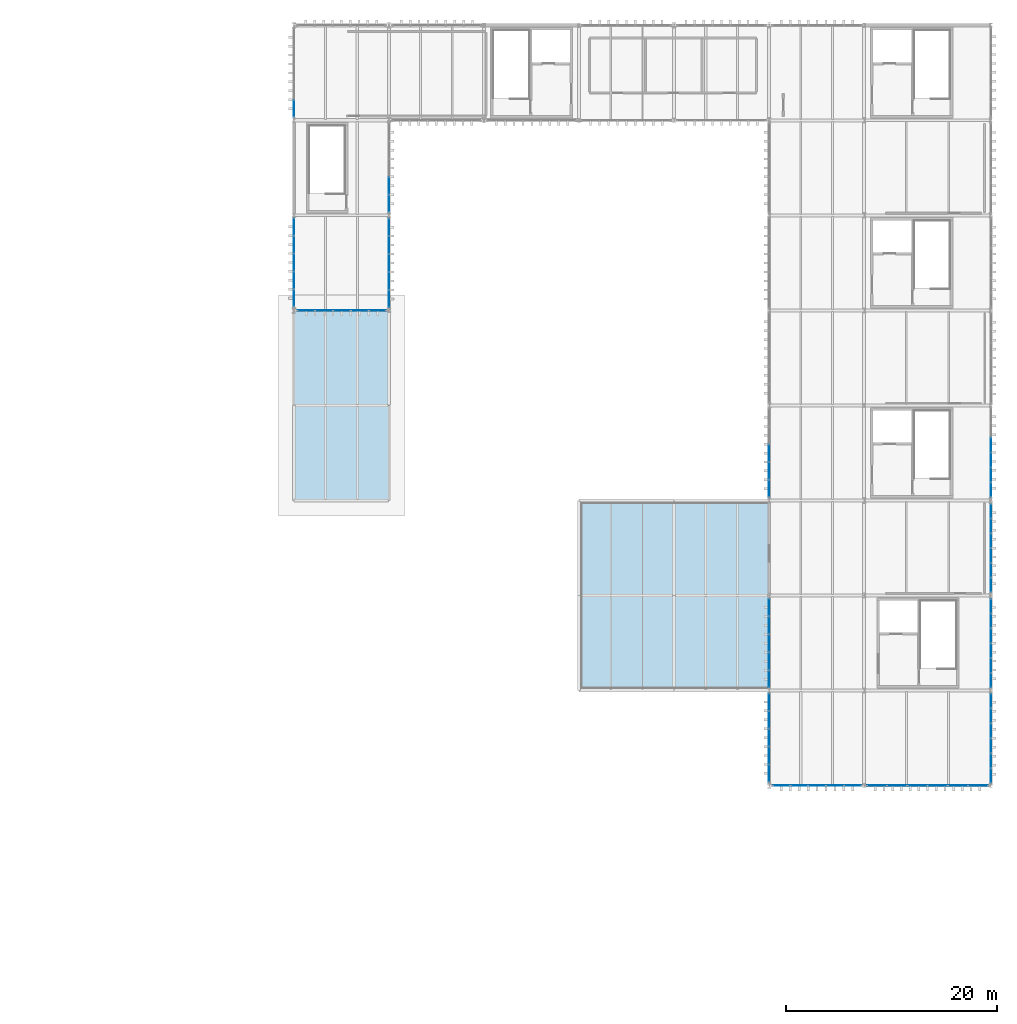
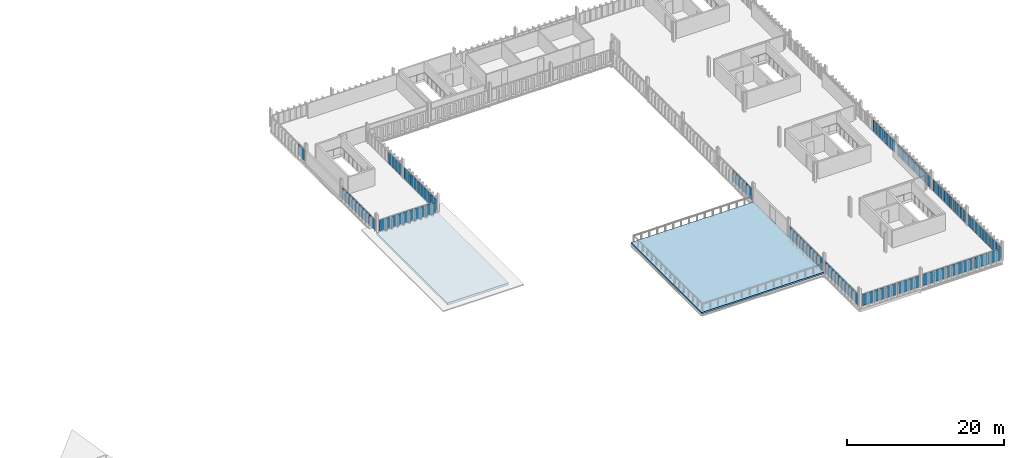
# One storey, part 49 of 58: 64 plates, 2 slabs, 14 elements without a shape of their own.
"""IFC4 building model written with IfcOpenShell, lengths in metres."""

from ifc_helpers import new_model, si_unit, direction, frame, origin, origin_2d, place, context, subcontext, project, spatial, polyline, rectangle, outline, extrude, material, layer, layer_set, type_object, element, aggregate, save


model = new_model("IFC4")

# Units and contexts
model_context = context("Model", 3, precision=1e-05, world=origin(), true_north=direction((0.0, 1.0)))
body_context = subcontext(model_context, "Body", "Model", "MODEL_VIEW")
ifc_project = project(units=[si_unit("LENGTHUNIT", "METRE"), si_unit("AREAUNIT", "SQUARE_METRE"), si_unit("VOLUMEUNIT", "CUBIC_METRE"), si_unit("PLANEANGLEUNIT", "RADIAN"), si_unit("MASSUNIT", "GRAM", prefix="KILO")], contexts=[model_context])

# Site, building, storey
site_placement = place(None, origin())
site = spatial("IfcSite", under=ifc_project, at=site_placement, CompositionType="ELEMENT")
building_placement = place(site_placement, origin())
building = spatial("IfcBuilding", under=site, at=building_placement, Name="Barlavento Convention Centre", CompositionType="ELEMENT")
storey_placement = place(building_placement, frame((0.0, 0.0, 26.800048828125)))
storey = spatial("IfcBuildingStorey", under=building, at=storey_placement, Name="L05", CompositionType="ELEMENT", Elevation=26.800048828125)

# Curtain wall, plates
ifc_material_1 = material(Name="Powder-coated aluminium and Low-E glass", Category="aluminium")
ifc_layer_1 = layer(ifc_material_1, 0.18994140625)
ifc_layer_set_1 = layer_set([ifc_layer_1], Name="ARC-CW-CONF-L05")
curtain_wall_type = type_object("IfcCurtainWallType", Name="ARC-CW-CONF-L05", PredefinedType="NOTDEFINED", material=ifc_layer_set_1)
curtain_wall_1_placement = place(storey_placement, origin())
curtain_wall_1 = element("IfcCurtainWall", 1, at=curtain_wall_1_placement, inside=storey, type_object=curtain_wall_type, Name="L05 unitised curtain wall CW10", PredefinedType="NOTDEFINED")
ifc_material_2 = material(Name="Double-silver Low-E insulated glass", Category="glass")
ifc_layer_2 = layer(ifc_material_2, 0.028076171875)
ifc_layer_set_2 = layer_set([ifc_layer_2], Name="ARC-CWP-GLZ28")
plate_type = type_object("IfcPlateType", Name="ARC-CWP-GLZ28", PredefinedType="CURTAIN_PANEL", material=ifc_layer_set_2)
plate_1_placement = place(storey_placement, frame((192.0, 27.9541015625, 0.06005859375), z_axis=(0.0, 0.0, 1.0), x_axis=(0.0, 1.0, 0.0)))
plate_1 = element("IfcPlate", 2, at=plate_1_placement, type_object=plate_type, Name="CW10 panel 1.1", PredefinedType="CURTAIN_PANEL", context=body_context, shape_type="SweptSolid", body=[
    extrude(rectangle(XDim=1.328369140625, YDim=0.028076171875, at=origin_2d()), origin(), (0.0, 0.0, 1.0), 1.780029296875),
])
plate_2_placement = place(storey_placement, frame((192.0, 29.357421875, 0.06005859375), z_axis=(0.0, 0.0, 1.0), x_axis=(0.0, 1.0, 0.0)))
plate_2 = element("IfcPlate", 3, at=plate_2_placement, type_object=plate_type, Name="CW10 panel 2.1", PredefinedType="CURTAIN_PANEL", context=body_context, shape_type="SweptSolid", body=[
    extrude(rectangle(XDim=1.3583984375, YDim=0.028076171875, at=origin_2d()), origin(), (0.0, 0.0, 1.0), 1.780029296875),
])
plate_3_placement = place(storey_placement, frame((192.0, 30.77587890625, 0.06005859375), z_axis=(0.0, 0.0, 1.0), x_axis=(0.0, 1.0, 0.0)))
plate_3 = element("IfcPlate", 4, at=plate_3_placement, type_object=plate_type, Name="CW10 panel 3.1", PredefinedType="CURTAIN_PANEL", context=body_context, shape_type="SweptSolid", body=[
    extrude(rectangle(XDim=1.3583984375, YDim=0.028076171875, at=origin_2d()), origin(), (0.0, 0.0, 1.0), 1.780029296875),
])
plate_4_placement = place(storey_placement, frame((192.0, 32.194091796875, 0.06005859375), z_axis=(0.0, 0.0, 1.0), x_axis=(0.0, 1.0, 0.0)))
plate_4 = element("IfcPlate", 5, at=plate_4_placement, type_object=plate_type, Name="CW10 panel 4.1", PredefinedType="CURTAIN_PANEL", context=body_context, shape_type="SweptSolid", body=[
    extrude(rectangle(XDim=1.3583984375, YDim=0.028076171875, at=origin_2d()), origin(), (0.0, 0.0, 1.0), 1.780029296875),
])
plate_5_placement = place(storey_placement, frame((192.0, 33.612548828125, 0.06005859375), z_axis=(0.0, 0.0, 1.0), x_axis=(0.0, 1.0, 0.0)))
plate_5 = element("IfcPlate", 6, at=plate_5_placement, type_object=plate_type, Name="CW10 panel 5.1", PredefinedType="CURTAIN_PANEL", context=body_context, shape_type="SweptSolid", body=[
    extrude(rectangle(XDim=1.3583984375, YDim=0.028076171875, at=origin_2d()), origin(), (0.0, 0.0, 1.0), 1.780029296875),
])
plate_6_placement = place(storey_placement, frame((192.0, 35.015869140625, 0.06005859375), z_axis=(0.0, 0.0, 1.0), x_axis=(0.0, 1.0, 0.0)))
plate_6 = element("IfcPlate", 7, at=plate_6_placement, type_object=plate_type, Name="CW10 panel 6.1", PredefinedType="CURTAIN_PANEL", context=body_context, shape_type="SweptSolid", body=[
    extrude(rectangle(XDim=1.328369140625, YDim=0.028076171875, at=origin_2d()), origin(), (0.0, 0.0, 1.0), 1.780029296875),
])
aggregate(curtain_wall_1, [plate_1, plate_2, plate_3, plate_4, plate_5, plate_6])

curtain_wall_2_placement = place(storey_placement, origin())
curtain_wall_2 = element("IfcCurtainWall", 8, at=curtain_wall_2_placement, inside=storey, type_object=curtain_wall_type, Name="L05 unitised curtain wall CW10", PredefinedType="NOTDEFINED")
plate_7_placement = place(storey_placement, frame((192.0, 36.9794921875, 0.06005859375), z_axis=(0.0, 0.0, 1.0), x_axis=(0.0, 1.0, 0.0)))
plate_7 = element("IfcPlate", 9, at=plate_7_placement, type_object=plate_type, Name="CW10 panel 1.1", PredefinedType="CURTAIN_PANEL", context=body_context, shape_type="SweptSolid", body=[
    extrude(rectangle(XDim=1.319091796875, YDim=0.028076171875, at=origin_2d()), origin(), (0.0, 0.0, 1.0), 1.780029296875),
])
plate_8_placement = place(storey_placement, frame((192.0, 38.373779296875, 0.06005859375), z_axis=(0.0, 0.0, 1.0), x_axis=(0.0, 1.0, 0.0)))
plate_8 = element("IfcPlate", 10, at=plate_8_placement, type_object=plate_type, Name="CW10 panel 2.1", PredefinedType="CURTAIN_PANEL", context=body_context, shape_type="SweptSolid", body=[
    extrude(rectangle(XDim=1.34912109375, YDim=0.028076171875, at=origin_2d()), origin(), (0.0, 0.0, 1.0), 1.780029296875),
])
plate_9_placement = place(storey_placement, frame((192.0, 39.782958984375, 0.06005859375), z_axis=(0.0, 0.0, 1.0), x_axis=(0.0, 1.0, 0.0)))
plate_9 = element("IfcPlate", 11, at=plate_9_placement, type_object=plate_type, Name="CW10 panel 3.1", PredefinedType="CURTAIN_PANEL", context=body_context, shape_type="SweptSolid", body=[
    extrude(rectangle(XDim=1.34912109375, YDim=0.028076171875, at=origin_2d()), origin(), (0.0, 0.0, 1.0), 1.780029296875),
])
plate_10_placement = place(storey_placement, frame((192.0, 41.192138671875, 0.06005859375), z_axis=(0.0, 0.0, 1.0), x_axis=(0.0, 1.0, 0.0)))
plate_10 = element("IfcPlate", 12, at=plate_10_placement, type_object=plate_type, Name="CW10 panel 4.1", PredefinedType="CURTAIN_PANEL", context=body_context, shape_type="SweptSolid", body=[
    extrude(rectangle(XDim=1.34912109375, YDim=0.028076171875, at=origin_2d()), origin(), (0.0, 0.0, 1.0), 1.780029296875),
])
plate_11_placement = place(storey_placement, frame((192.0, 42.601318359375, 0.06005859375), z_axis=(0.0, 0.0, 1.0), x_axis=(0.0, 1.0, 0.0)))
plate_11 = element("IfcPlate", 13, at=plate_11_placement, type_object=plate_type, Name="CW10 panel 5.1", PredefinedType="CURTAIN_PANEL", context=body_context, shape_type="SweptSolid", body=[
    extrude(rectangle(XDim=1.34912109375, YDim=0.028076171875, at=origin_2d()), origin(), (0.0, 0.0, 1.0), 1.780029296875),
])
plate_12_placement = place(storey_placement, frame((192.0, 43.995361328125, 0.06005859375), z_axis=(0.0, 0.0, 1.0), x_axis=(0.0, 1.0, 0.0)))
plate_12 = element("IfcPlate", 14, at=plate_12_placement, type_object=plate_type, Name="CW10 panel 6.1", PredefinedType="CURTAIN_PANEL", context=body_context, shape_type="SweptSolid", body=[
    extrude(rectangle(XDim=1.319091796875, YDim=0.028076171875, at=origin_2d()), origin(), (0.0, 0.0, 1.0), 1.780029296875),
])
aggregate(curtain_wall_2, [plate_7, plate_8, plate_9, plate_10, plate_11, plate_12])

curtain_wall_3_placement = place(storey_placement, origin())
curtain_wall_3 = element("IfcCurtainWall", 15, at=curtain_wall_3_placement, inside=storey, type_object=curtain_wall_type, Name="L05 unitised curtain wall CW10", PredefinedType="NOTDEFINED")
plate_13_placement = place(storey_placement, frame((192.0, 46.00048828125, 0.06005859375), z_axis=(0.0, 0.0, 1.0), x_axis=(0.0, 1.0, 0.0)))
plate_13 = element("IfcPlate", 16, at=plate_13_placement, type_object=plate_type, Name="CW10 panel 1.1", PredefinedType="CURTAIN_PANEL", context=body_context, shape_type="SweptSolid", body=[
    extrude(rectangle(XDim=1.310791015625, YDim=0.028076171875, at=origin_2d()), origin(), (0.0, 0.0, 1.0), 1.780029296875),
])
plate_14_placement = place(storey_placement, frame((192.0, 47.38623046875, 0.06005859375), z_axis=(0.0, 0.0, 1.0), x_axis=(0.0, 1.0, 0.0)))
plate_14 = element("IfcPlate", 17, at=plate_14_placement, type_object=plate_type, Name="CW10 panel 2.1", PredefinedType="CURTAIN_PANEL", context=body_context, shape_type="SweptSolid", body=[
    extrude(rectangle(XDim=1.3408203125, YDim=0.028076171875, at=origin_2d()), origin(), (0.0, 0.0, 1.0), 1.780029296875),
])
plate_15_placement = place(storey_placement, frame((192.0, 48.787109375, 0.06005859375), z_axis=(0.0, 0.0, 1.0), x_axis=(0.0, 1.0, 0.0)))
plate_15 = element("IfcPlate", 18, at=plate_15_placement, type_object=plate_type, Name="CW10 panel 3.1", PredefinedType="CURTAIN_PANEL", context=body_context, shape_type="SweptSolid", body=[
    extrude(rectangle(XDim=1.3408203125, YDim=0.028076171875, at=origin_2d()), origin(), (0.0, 0.0, 1.0), 1.780029296875),
])
plate_16_placement = place(storey_placement, frame((192.0, 50.18798828125, 0.06005859375), z_axis=(0.0, 0.0, 1.0), x_axis=(0.0, 1.0, 0.0)))
plate_16 = element("IfcPlate", 19, at=plate_16_placement, type_object=plate_type, Name="CW10 panel 4.1", PredefinedType="CURTAIN_PANEL", context=body_context, shape_type="SweptSolid", body=[
    extrude(rectangle(XDim=1.3408203125, YDim=0.028076171875, at=origin_2d()), origin(), (0.0, 0.0, 1.0), 1.780029296875),
])
plate_17_placement = place(storey_placement, frame((192.0, 51.5888671875, 0.06005859375), z_axis=(0.0, 0.0, 1.0), x_axis=(0.0, 1.0, 0.0)))
plate_17 = element("IfcPlate", 20, at=plate_17_placement, type_object=plate_type, Name="CW10 panel 5.1", PredefinedType="CURTAIN_PANEL", context=body_context, shape_type="SweptSolid", body=[
    extrude(rectangle(XDim=1.3408203125, YDim=0.028076171875, at=origin_2d()), origin(), (0.0, 0.0, 1.0), 1.780029296875),
])
plate_18_placement = place(storey_placement, frame((192.0, 52.974609375, 0.06005859375), z_axis=(0.0, 0.0, 1.0), x_axis=(0.0, 1.0, 0.0)))
plate_18 = element("IfcPlate", 21, at=plate_18_placement, type_object=plate_type, Name="CW10 panel 6.1", PredefinedType="CURTAIN_PANEL", context=body_context, shape_type="SweptSolid", body=[
    extrude(rectangle(XDim=1.310791015625, YDim=0.028076171875, at=origin_2d()), origin(), (0.0, 0.0, 1.0), 1.780029296875),
])
aggregate(curtain_wall_3, [plate_13, plate_14, plate_15, plate_16, plate_17, plate_18])

curtain_wall_4_placement = place(storey_placement, origin())
curtain_wall_4 = element("IfcCurtainWall", 22, at=curtain_wall_4_placement, inside=storey, type_object=curtain_wall_type, Name="L05 unitised curtain wall CW10", PredefinedType="NOTDEFINED")
plate_19_placement = place(storey_placement, frame((192.0, 55.030029296875, 0.06005859375), z_axis=(0.0, 0.0, 1.0), x_axis=(0.0, 1.0, 0.0)))
plate_19 = element("IfcPlate", 23, at=plate_19_placement, type_object=plate_type, Name="CW10 panel 1.1", PredefinedType="CURTAIN_PANEL", context=body_context, shape_type="SweptSolid", body=[
    extrude(rectangle(XDim=1.320068359375, YDim=0.028076171875, at=origin_2d()), origin(), (0.0, 0.0, 1.0), 1.780029296875),
])
plate_20_placement = place(storey_placement, frame((192.0, 56.425048828125, 0.06005859375), z_axis=(0.0, 0.0, 1.0), x_axis=(0.0, 1.0, 0.0)))
plate_20 = element("IfcPlate", 24, at=plate_20_placement, type_object=plate_type, Name="CW10 panel 2.1", PredefinedType="CURTAIN_PANEL", context=body_context, shape_type="SweptSolid", body=[
    extrude(rectangle(XDim=1.35009765625, YDim=0.028076171875, at=origin_2d()), origin(), (0.0, 0.0, 1.0), 1.780029296875),
])
plate_21_placement = place(storey_placement, frame((192.0, 57.8349609375, 0.06005859375), z_axis=(0.0, 0.0, 1.0), x_axis=(0.0, 1.0, 0.0)))
plate_21 = element("IfcPlate", 25, at=plate_21_placement, type_object=plate_type, Name="CW10 panel 3.1", PredefinedType="CURTAIN_PANEL", context=body_context, shape_type="SweptSolid", body=[
    extrude(rectangle(XDim=1.35009765625, YDim=0.028076171875, at=origin_2d()), origin(), (0.0, 0.0, 1.0), 1.780029296875),
])
plate_22_placement = place(storey_placement, frame((192.0, 59.2451171875, 0.06005859375), z_axis=(0.0, 0.0, 1.0), x_axis=(0.0, 1.0, 0.0)))
plate_22 = element("IfcPlate", 26, at=plate_22_placement, type_object=plate_type, Name="CW10 panel 4.1", PredefinedType="CURTAIN_PANEL", context=body_context, shape_type="SweptSolid", body=[
    extrude(rectangle(XDim=1.35009765625, YDim=0.028076171875, at=origin_2d()), origin(), (0.0, 0.0, 1.0), 1.780029296875),
])
aggregate(curtain_wall_4, [plate_19, plate_20, plate_21, plate_22])

curtain_wall_5_placement = place(storey_placement, origin())
curtain_wall_5 = element("IfcCurtainWall", 27, at=curtain_wall_5_placement, inside=storey, type_object=curtain_wall_type, Name="L05 unitised curtain wall CW10", PredefinedType="NOTDEFINED")
plate_23_placement = place(storey_placement, frame((172.1708984375, 27.0, 0.06005859375), z_axis=(0.0, 0.0, 1.0), x_axis=(1.0, 0.0, 0.0)))
plate_23 = element("IfcPlate", 28, at=plate_23_placement, type_object=plate_type, Name="CW10 panel 1.1", PredefinedType="CURTAIN_PANEL", context=body_context, shape_type="SweptSolid", body=[
    extrude(rectangle(XDim=1.60205078125, YDim=0.028076171875, at=origin_2d()), origin(), (0.0, 0.0, 1.0), 1.780029296875),
])
plate_24_placement = place(storey_placement, frame((173.847900390625, 27.0, 0.06005859375), z_axis=(0.0, 0.0, 1.0), x_axis=(1.0, 0.0, 0.0)))
plate_24 = element("IfcPlate", 29, at=plate_24_placement, type_object=plate_type, Name="CW10 panel 2.1", PredefinedType="CURTAIN_PANEL", context=body_context, shape_type="SweptSolid", body=[
    extrude(rectangle(XDim=1.632080078125, YDim=0.028076171875, at=origin_2d()), origin(), (0.0, 0.0, 1.0), 1.780029296875),
])
plate_25_placement = place(storey_placement, frame((175.5400390625, 27.0, 0.06005859375), z_axis=(0.0, 0.0, 1.0), x_axis=(1.0, 0.0, 0.0)))
plate_25 = element("IfcPlate", 30, at=plate_25_placement, type_object=plate_type, Name="CW10 panel 3.1", PredefinedType="CURTAIN_PANEL", context=body_context, shape_type="SweptSolid", body=[
    extrude(rectangle(XDim=1.632080078125, YDim=0.028076171875, at=origin_2d()), origin(), (0.0, 0.0, 1.0), 1.780029296875),
])
plate_26_placement = place(storey_placement, frame((177.23193359375, 27.0, 0.06005859375), z_axis=(0.0, 0.0, 1.0), x_axis=(1.0, 0.0, 0.0)))
plate_26 = element("IfcPlate", 31, at=plate_26_placement, type_object=plate_type, Name="CW10 panel 4.1", PredefinedType="CURTAIN_PANEL", context=body_context, shape_type="SweptSolid", body=[
    extrude(rectangle(XDim=1.632080078125, YDim=0.028076171875, at=origin_2d()), origin(), (0.0, 0.0, 1.0), 1.780029296875),
])
plate_27_placement = place(storey_placement, frame((178.908935546875, 27.0, 0.06005859375), z_axis=(0.0, 0.0, 1.0), x_axis=(1.0, 0.0, 0.0)))
plate_27 = element("IfcPlate", 32, at=plate_27_placement, type_object=plate_type, Name="CW10 panel 5.1", PredefinedType="CURTAIN_PANEL", context=body_context, shape_type="SweptSolid", body=[
    extrude(rectangle(XDim=1.60205078125, YDim=0.028076171875, at=origin_2d()), origin(), (0.0, 0.0, 1.0), 1.780029296875),
])
aggregate(curtain_wall_5, [plate_23, plate_24, plate_25, plate_26, plate_27])

curtain_wall_6_placement = place(storey_placement, origin())
curtain_wall_6 = element("IfcCurtainWall", 33, at=curtain_wall_6_placement, inside=storey, type_object=curtain_wall_type, Name="L05 unitised curtain wall CW10", PredefinedType="NOTDEFINED")
plate_28_placement = place(storey_placement, frame((181.206787109375, 27.0, 0.06005859375), z_axis=(0.0, 0.0, 1.0), x_axis=(1.0, 0.0, 0.0)))
plate_28 = element("IfcPlate", 34, at=plate_28_placement, type_object=plate_type, Name="CW10 panel 1.1", PredefinedType="CURTAIN_PANEL", context=body_context, shape_type="SweptSolid", body=[
    extrude(rectangle(XDim=1.833251953125, YDim=0.028076171875, at=origin_2d()), origin(), (0.0, 0.0, 1.0), 1.780029296875),
])
plate_29_placement = place(storey_placement, frame((183.114990234375, 27.0, 0.06005859375), z_axis=(0.0, 0.0, 1.0), x_axis=(1.0, 0.0, 0.0)))
plate_29 = element("IfcPlate", 35, at=plate_29_placement, type_object=plate_type, Name="CW10 panel 2.1", PredefinedType="CURTAIN_PANEL", context=body_context, shape_type="SweptSolid", body=[
    extrude(rectangle(XDim=1.86328125, YDim=0.028076171875, at=origin_2d()), origin(), (0.0, 0.0, 1.0), 1.780029296875),
])
plate_30_placement = place(storey_placement, frame((185.038330078125, 27.0, 0.06005859375), z_axis=(0.0, 0.0, 1.0), x_axis=(1.0, 0.0, 0.0)))
plate_30 = element("IfcPlate", 36, at=plate_30_placement, type_object=plate_type, Name="CW10 panel 3.1", PredefinedType="CURTAIN_PANEL", context=body_context, shape_type="SweptSolid", body=[
    extrude(rectangle(XDim=1.86328125, YDim=0.028076171875, at=origin_2d()), origin(), (0.0, 0.0, 1.0), 1.780029296875),
])
plate_31_placement = place(storey_placement, frame((186.961669921875, 27.0, 0.06005859375), z_axis=(0.0, 0.0, 1.0), x_axis=(1.0, 0.0, 0.0)))
plate_31 = element("IfcPlate", 37, at=plate_31_placement, type_object=plate_type, Name="CW10 panel 4.1", PredefinedType="CURTAIN_PANEL", context=body_context, shape_type="SweptSolid", body=[
    extrude(rectangle(XDim=1.86328125, YDim=0.028076171875, at=origin_2d()), origin(), (0.0, 0.0, 1.0), 1.780029296875),
])
plate_32_placement = place(storey_placement, frame((188.885009765625, 27.0, 0.06005859375), z_axis=(0.0, 0.0, 1.0), x_axis=(1.0, 0.0, 0.0)))
plate_32 = element("IfcPlate", 38, at=plate_32_placement, type_object=plate_type, Name="CW10 panel 5.1", PredefinedType="CURTAIN_PANEL", context=body_context, shape_type="SweptSolid", body=[
    extrude(rectangle(XDim=1.86328125, YDim=0.028076171875, at=origin_2d()), origin(), (0.0, 0.0, 1.0), 1.780029296875),
])
plate_33_placement = place(storey_placement, frame((190.793212890625, 27.0, 0.06005859375), z_axis=(0.0, 0.0, 1.0), x_axis=(1.0, 0.0, 0.0)))
plate_33 = element("IfcPlate", 39, at=plate_33_placement, type_object=plate_type, Name="CW10 panel 6.1", PredefinedType="CURTAIN_PANEL", context=body_context, shape_type="SweptSolid", body=[
    extrude(rectangle(XDim=1.833251953125, YDim=0.028076171875, at=origin_2d()), origin(), (0.0, 0.0, 1.0), 1.780029296875),
])
aggregate(curtain_wall_6, [plate_28, plate_29, plate_30, plate_31, plate_32, plate_33])

curtain_wall_7_placement = place(storey_placement, origin())
curtain_wall_7 = element("IfcCurtainWall", 40, at=curtain_wall_7_placement, inside=storey, type_object=curtain_wall_type, Name="L05 unitised curtain wall CW10", PredefinedType="NOTDEFINED")
plate_34_placement = place(storey_placement, frame((171.0, 28.1708984375, 0.06005859375), z_axis=(0.0, 0.0, 1.0), x_axis=(0.0, 1.0, 0.0)))
plate_34 = element("IfcPlate", 41, at=plate_34_placement, type_object=plate_type, Name="CW10 panel 1.1", PredefinedType="CURTAIN_PANEL", context=body_context, shape_type="SweptSolid", body=[
    extrude(rectangle(XDim=1.60205078125, YDim=0.028076171875, at=origin_2d()), origin(), (0.0, 0.0, 1.0), 1.780029296875),
])
plate_35_placement = place(storey_placement, frame((171.0, 29.847900390625, 0.06005859375), z_axis=(0.0, 0.0, 1.0), x_axis=(0.0, 1.0, 0.0)))
plate_35 = element("IfcPlate", 42, at=plate_35_placement, type_object=plate_type, Name="CW10 panel 2.1", PredefinedType="CURTAIN_PANEL", context=body_context, shape_type="SweptSolid", body=[
    extrude(rectangle(XDim=1.632080078125, YDim=0.028076171875, at=origin_2d()), origin(), (0.0, 0.0, 1.0), 1.780029296875),
])
plate_36_placement = place(storey_placement, frame((171.0, 31.5400390625, 0.06005859375), z_axis=(0.0, 0.0, 1.0), x_axis=(0.0, 1.0, 0.0)))
plate_36 = element("IfcPlate", 43, at=plate_36_placement, type_object=plate_type, Name="CW10 panel 3.1", PredefinedType="CURTAIN_PANEL", context=body_context, shape_type="SweptSolid", body=[
    extrude(rectangle(XDim=1.632080078125, YDim=0.028076171875, at=origin_2d()), origin(), (0.0, 0.0, 1.0), 1.780029296875),
])
plate_37_placement = place(storey_placement, frame((171.0, 33.23193359375, 0.06005859375), z_axis=(0.0, 0.0, 1.0), x_axis=(0.0, 1.0, 0.0)))
plate_37 = element("IfcPlate", 44, at=plate_37_placement, type_object=plate_type, Name="CW10 panel 4.1", PredefinedType="CURTAIN_PANEL", context=body_context, shape_type="SweptSolid", body=[
    extrude(rectangle(XDim=1.632080078125, YDim=0.028076171875, at=origin_2d()), origin(), (0.0, 0.0, 1.0), 1.780029296875),
])
plate_38_placement = place(storey_placement, frame((171.0, 34.908935546875, 0.06005859375), z_axis=(0.0, 0.0, 1.0), x_axis=(0.0, 1.0, 0.0)))
plate_38 = element("IfcPlate", 45, at=plate_38_placement, type_object=plate_type, Name="CW10 panel 5.1", PredefinedType="CURTAIN_PANEL", context=body_context, shape_type="SweptSolid", body=[
    extrude(rectangle(XDim=1.60205078125, YDim=0.028076171875, at=origin_2d()), origin(), (0.0, 0.0, 1.0), 1.780029296875),
])
aggregate(curtain_wall_7, [plate_34, plate_35, plate_36, plate_37, plate_38])

curtain_wall_8_placement = place(storey_placement, origin())
curtain_wall_8 = element("IfcCurtainWall", 46, at=curtain_wall_8_placement, inside=storey, type_object=curtain_wall_type, Name="L05 unitised curtain wall CW10", PredefinedType="NOTDEFINED")
plate_39_placement = place(storey_placement, frame((171.0, 37.095947265625, 0.06005859375), z_axis=(0.0, 0.0, 1.0), x_axis=(0.0, 1.0, 0.0)))
plate_39 = element("IfcPlate", 47, at=plate_39_placement, type_object=plate_type, Name="CW10 panel 1.1", PredefinedType="CURTAIN_PANEL", context=body_context, shape_type="SweptSolid", body=[
    extrude(rectangle(XDim=1.612060546875, YDim=0.028076171875, at=origin_2d()), origin(), (0.0, 0.0, 1.0), 1.780029296875),
])
plate_40_placement = place(storey_placement, frame((171.0, 38.782958984375, 0.06005859375), z_axis=(0.0, 0.0, 1.0), x_axis=(0.0, 1.0, 0.0)))
plate_40 = element("IfcPlate", 48, at=plate_40_placement, type_object=plate_type, Name="CW10 panel 2.1", PredefinedType="CURTAIN_PANEL", context=body_context, shape_type="SweptSolid", body=[
    extrude(rectangle(XDim=1.64208984375, YDim=0.028076171875, at=origin_2d()), origin(), (0.0, 0.0, 1.0), 1.780029296875),
])
plate_41_placement = place(storey_placement, frame((171.0, 40.485107421875, 0.06005859375), z_axis=(0.0, 0.0, 1.0), x_axis=(0.0, 1.0, 0.0)))
plate_41 = element("IfcPlate", 49, at=plate_41_placement, type_object=plate_type, Name="CW10 panel 3.1", PredefinedType="CURTAIN_PANEL", context=body_context, shape_type="SweptSolid", body=[
    extrude(rectangle(XDim=1.64208984375, YDim=0.028076171875, at=origin_2d()), origin(), (0.0, 0.0, 1.0), 1.780029296875),
])
plate_42_placement = place(storey_placement, frame((171.0, 42.18701171875, 0.06005859375), z_axis=(0.0, 0.0, 1.0), x_axis=(0.0, 1.0, 0.0)))
plate_42 = element("IfcPlate", 50, at=plate_42_placement, type_object=plate_type, Name="CW10 panel 4.1", PredefinedType="CURTAIN_PANEL", context=body_context, shape_type="SweptSolid", body=[
    extrude(rectangle(XDim=1.64208984375, YDim=0.028076171875, at=origin_2d()), origin(), (0.0, 0.0, 1.0), 1.780029296875),
])
plate_43_placement = place(storey_placement, frame((171.0, 43.8740234375, 0.06005859375), z_axis=(0.0, 0.0, 1.0), x_axis=(0.0, 1.0, 0.0)))
plate_43 = element("IfcPlate", 51, at=plate_43_placement, type_object=plate_type, Name="CW10 panel 5.1", PredefinedType="CURTAIN_PANEL", context=body_context, shape_type="SweptSolid", body=[
    extrude(rectangle(XDim=1.612060546875, YDim=0.028076171875, at=origin_2d()), origin(), (0.0, 0.0, 1.0), 1.780029296875),
])
aggregate(curtain_wall_8, [plate_39, plate_40, plate_41, plate_42, plate_43])

curtain_wall_9_placement = place(storey_placement, origin())
curtain_wall_9 = element("IfcCurtainWall", 52, at=curtain_wall_9_placement, inside=storey, type_object=curtain_wall_type, Name="L05 unitised curtain wall CW10", PredefinedType="NOTDEFINED")
plate_44_placement = place(storey_placement, frame((171.0, 55.140380859375, 0.06005859375), z_axis=(0.0, 0.0, 1.0), x_axis=(0.0, 1.0, 0.0)))
plate_44 = element("IfcPlate", 53, at=plate_44_placement, type_object=plate_type, Name="CW10 panel 1.1", PredefinedType="CURTAIN_PANEL", context=body_context, shape_type="SweptSolid", body=[
    extrude(rectangle(XDim=1.591064453125, YDim=0.028076171875, at=origin_2d()), origin(), (0.0, 0.0, 1.0), 1.780029296875),
])
plate_45_placement = place(storey_placement, frame((171.0, 56.806396484375, 0.06005859375), z_axis=(0.0, 0.0, 1.0), x_axis=(0.0, 1.0, 0.0)))
plate_45 = element("IfcPlate", 54, at=plate_45_placement, type_object=plate_type, Name="CW10 panel 2.1", PredefinedType="CURTAIN_PANEL", context=body_context, shape_type="SweptSolid", body=[
    extrude(rectangle(XDim=1.62109375, YDim=0.028076171875, at=origin_2d()), origin(), (0.0, 0.0, 1.0), 1.780029296875),
])
plate_46_placement = place(storey_placement, frame((171.0, 58.487548828125, 0.06005859375), z_axis=(0.0, 0.0, 1.0), x_axis=(0.0, 1.0, 0.0)))
plate_46 = element("IfcPlate", 55, at=plate_46_placement, type_object=plate_type, Name="CW10 panel 3.1", PredefinedType="CURTAIN_PANEL", context=body_context, shape_type="SweptSolid", body=[
    extrude(rectangle(XDim=1.62109375, YDim=0.028076171875, at=origin_2d()), origin(), (0.0, 0.0, 1.0), 1.780029296875),
])
aggregate(curtain_wall_9, [plate_44, plate_45, plate_46])

curtain_wall_10_placement = place(storey_placement, origin())
curtain_wall_10 = element("IfcCurtainWall", 56, at=curtain_wall_10_placement, inside=storey, type_object=curtain_wall_type, Name="L05 unitised curtain wall CW10", PredefinedType="NOTDEFINED")
plate_47_placement = place(storey_placement, frame((135.0, 73.095947265625, 0.06005859375), z_axis=(0.0, 0.0, 1.0), x_axis=(0.0, 1.0, 0.0)))
plate_47 = element("IfcPlate", 57, at=plate_47_placement, type_object=plate_type, Name="CW10 panel 1.1", PredefinedType="CURTAIN_PANEL", context=body_context, shape_type="SweptSolid", body=[
    extrude(rectangle(XDim=1.612060546875, YDim=0.028076171875, at=origin_2d()), origin(), (0.0, 0.0, 1.0), 1.780029296875),
])
plate_48_placement = place(storey_placement, frame((135.0, 74.782958984375, 0.06005859375), z_axis=(0.0, 0.0, 1.0), x_axis=(0.0, 1.0, 0.0)))
plate_48 = element("IfcPlate", 58, at=plate_48_placement, type_object=plate_type, Name="CW10 panel 2.1", PredefinedType="CURTAIN_PANEL", context=body_context, shape_type="SweptSolid", body=[
    extrude(rectangle(XDim=1.64208984375, YDim=0.028076171875, at=origin_2d()), origin(), (0.0, 0.0, 1.0), 1.780029296875),
])
plate_49_placement = place(storey_placement, frame((135.0, 76.485107421875, 0.06005859375), z_axis=(0.0, 0.0, 1.0), x_axis=(0.0, 1.0, 0.0)))
plate_49 = element("IfcPlate", 59, at=plate_49_placement, type_object=plate_type, Name="CW10 panel 3.1", PredefinedType="CURTAIN_PANEL", context=body_context, shape_type="SweptSolid", body=[
    extrude(rectangle(XDim=1.64208984375, YDim=0.028076171875, at=origin_2d()), origin(), (0.0, 0.0, 1.0), 1.780029296875),
])
plate_50_placement = place(storey_placement, frame((135.0, 78.18701171875, 0.06005859375), z_axis=(0.0, 0.0, 1.0), x_axis=(0.0, 1.0, 0.0)))
plate_50 = element("IfcPlate", 60, at=plate_50_placement, type_object=plate_type, Name="CW10 panel 4.1", PredefinedType="CURTAIN_PANEL", context=body_context, shape_type="SweptSolid", body=[
    extrude(rectangle(XDim=1.64208984375, YDim=0.028076171875, at=origin_2d()), origin(), (0.0, 0.0, 1.0), 1.780029296875),
])
plate_51_placement = place(storey_placement, frame((135.0, 79.8740234375, 0.06005859375), z_axis=(0.0, 0.0, 1.0), x_axis=(0.0, 1.0, 0.0)))
plate_51 = element("IfcPlate", 61, at=plate_51_placement, type_object=plate_type, Name="CW10 panel 5.1", PredefinedType="CURTAIN_PANEL", context=body_context, shape_type="SweptSolid", body=[
    extrude(rectangle(XDim=1.612060546875, YDim=0.028076171875, at=origin_2d()), origin(), (0.0, 0.0, 1.0), 1.780029296875),
])
aggregate(curtain_wall_10, [plate_47, plate_48, plate_49, plate_50, plate_51])

curtain_wall_11_placement = place(storey_placement, origin())
curtain_wall_11 = element("IfcCurtainWall", 62, at=curtain_wall_11_placement, inside=storey, type_object=curtain_wall_type, Name="L05 unitised curtain wall CW10", PredefinedType="NOTDEFINED")
plate_52_placement = place(storey_placement, frame((135.0, 82.12060546875, 0.06005859375), z_axis=(0.0, 0.0, 1.0), x_axis=(0.0, 1.0, 0.0)))
plate_52 = element("IfcPlate", 63, at=plate_52_placement, type_object=plate_type, Name="CW10 panel 1.1", PredefinedType="CURTAIN_PANEL", context=body_context, shape_type="SweptSolid", body=[
    extrude(rectangle(XDim=1.60107421875, YDim=0.028076171875, at=origin_2d()), origin(), (0.0, 0.0, 1.0), 1.780029296875),
])
plate_53_placement = place(storey_placement, frame((135.0, 83.79638671875, 0.06005859375), z_axis=(0.0, 0.0, 1.0), x_axis=(0.0, 1.0, 0.0)))
plate_53 = element("IfcPlate", 64, at=plate_53_placement, type_object=plate_type, Name="CW10 panel 2.1", PredefinedType="CURTAIN_PANEL", context=body_context, shape_type="SweptSolid", body=[
    extrude(rectangle(XDim=1.631103515625, YDim=0.028076171875, at=origin_2d()), origin(), (0.0, 0.0, 1.0), 1.780029296875),
])
aggregate(curtain_wall_11, [plate_52, plate_53])

curtain_wall_12_placement = place(storey_placement, origin())
curtain_wall_12 = element("IfcCurtainWall", 65, at=curtain_wall_12_placement, inside=storey, type_object=curtain_wall_type, Name="L05 unitised curtain wall CW10", PredefinedType="NOTDEFINED")
plate_54_placement = place(storey_placement, frame((127.1708984375, 72.0, 0.06005859375), z_axis=(0.0, 0.0, 1.0), x_axis=(1.0, 0.0, 0.0)))
plate_54 = element("IfcPlate", 66, at=plate_54_placement, type_object=plate_type, Name="CW10 panel 1.1", PredefinedType="CURTAIN_PANEL", context=body_context, shape_type="SweptSolid", body=[
    extrude(rectangle(XDim=1.60205078125, YDim=0.028076171875, at=origin_2d()), origin(), (0.0, 0.0, 1.0), 1.780029296875),
])
plate_55_placement = place(storey_placement, frame((128.847900390625, 72.0, 0.06005859375), z_axis=(0.0, 0.0, 1.0), x_axis=(1.0, 0.0, 0.0)))
plate_55 = element("IfcPlate", 67, at=plate_55_placement, type_object=plate_type, Name="CW10 panel 2.1", PredefinedType="CURTAIN_PANEL", context=body_context, shape_type="SweptSolid", body=[
    extrude(rectangle(XDim=1.632080078125, YDim=0.028076171875, at=origin_2d()), origin(), (0.0, 0.0, 1.0), 1.780029296875),
])
plate_56_placement = place(storey_placement, frame((130.5400390625, 72.0, 0.06005859375), z_axis=(0.0, 0.0, 1.0), x_axis=(1.0, 0.0, 0.0)))
plate_56 = element("IfcPlate", 68, at=plate_56_placement, type_object=plate_type, Name="CW10 panel 3.1", PredefinedType="CURTAIN_PANEL", context=body_context, shape_type="SweptSolid", body=[
    extrude(rectangle(XDim=1.632080078125, YDim=0.028076171875, at=origin_2d()), origin(), (0.0, 0.0, 1.0), 1.780029296875),
])
plate_57_placement = place(storey_placement, frame((132.23193359375, 72.0, 0.06005859375), z_axis=(0.0, 0.0, 1.0), x_axis=(1.0, 0.0, 0.0)))
plate_57 = element("IfcPlate", 69, at=plate_57_placement, type_object=plate_type, Name="CW10 panel 4.1", PredefinedType="CURTAIN_PANEL", context=body_context, shape_type="SweptSolid", body=[
    extrude(rectangle(XDim=1.632080078125, YDim=0.028076171875, at=origin_2d()), origin(), (0.0, 0.0, 1.0), 1.780029296875),
])
plate_58_placement = place(storey_placement, frame((133.908935546875, 72.0, 0.06005859375), z_axis=(0.0, 0.0, 1.0), x_axis=(1.0, 0.0, 0.0)))
plate_58 = element("IfcPlate", 70, at=plate_58_placement, type_object=plate_type, Name="CW10 panel 5.1", PredefinedType="CURTAIN_PANEL", context=body_context, shape_type="SweptSolid", body=[
    extrude(rectangle(XDim=1.60205078125, YDim=0.028076171875, at=origin_2d()), origin(), (0.0, 0.0, 1.0), 1.780029296875),
])
aggregate(curtain_wall_12, [plate_54, plate_55, plate_56, plate_57, plate_58])

curtain_wall_13_placement = place(storey_placement, origin())
curtain_wall_13 = element("IfcCurtainWall", 71, at=curtain_wall_13_placement, inside=storey, type_object=curtain_wall_type, Name="L05 unitised curtain wall CW10", PredefinedType="NOTDEFINED")
plate_59_placement = place(storey_placement, frame((126.0, 73.1708984375, 0.06005859375), z_axis=(0.0, 0.0, 1.0), x_axis=(0.0, 1.0, 0.0)))
plate_59 = element("IfcPlate", 72, at=plate_59_placement, type_object=plate_type, Name="CW10 panel 1.1", PredefinedType="CURTAIN_PANEL", context=body_context, shape_type="SweptSolid", body=[
    extrude(rectangle(XDim=1.60205078125, YDim=0.028076171875, at=origin_2d()), origin(), (0.0, 0.0, 1.0), 1.780029296875),
])
plate_60_placement = place(storey_placement, frame((126.0, 74.847900390625, 0.06005859375), z_axis=(0.0, 0.0, 1.0), x_axis=(0.0, 1.0, 0.0)))
plate_60 = element("IfcPlate", 73, at=plate_60_placement, type_object=plate_type, Name="CW10 panel 2.1", PredefinedType="CURTAIN_PANEL", context=body_context, shape_type="SweptSolid", body=[
    extrude(rectangle(XDim=1.632080078125, YDim=0.028076171875, at=origin_2d()), origin(), (0.0, 0.0, 1.0), 1.780029296875),
])
plate_61_placement = place(storey_placement, frame((126.0, 76.5400390625, 0.06005859375), z_axis=(0.0, 0.0, 1.0), x_axis=(0.0, 1.0, 0.0)))
plate_61 = element("IfcPlate", 74, at=plate_61_placement, type_object=plate_type, Name="CW10 panel 3.1", PredefinedType="CURTAIN_PANEL", context=body_context, shape_type="SweptSolid", body=[
    extrude(rectangle(XDim=1.632080078125, YDim=0.028076171875, at=origin_2d()), origin(), (0.0, 0.0, 1.0), 1.780029296875),
])
plate_62_placement = place(storey_placement, frame((126.0, 78.23193359375, 0.06005859375), z_axis=(0.0, 0.0, 1.0), x_axis=(0.0, 1.0, 0.0)))
plate_62 = element("IfcPlate", 75, at=plate_62_placement, type_object=plate_type, Name="CW10 panel 4.1", PredefinedType="CURTAIN_PANEL", context=body_context, shape_type="SweptSolid", body=[
    extrude(rectangle(XDim=1.632080078125, YDim=0.028076171875, at=origin_2d()), origin(), (0.0, 0.0, 1.0), 1.780029296875),
])
plate_63_placement = place(storey_placement, frame((126.0, 79.908935546875, 0.06005859375), z_axis=(0.0, 0.0, 1.0), x_axis=(0.0, 1.0, 0.0)))
plate_63 = element("IfcPlate", 76, at=plate_63_placement, type_object=plate_type, Name="CW10 panel 5.1", PredefinedType="CURTAIN_PANEL", context=body_context, shape_type="SweptSolid", body=[
    extrude(rectangle(XDim=1.60205078125, YDim=0.028076171875, at=origin_2d()), origin(), (0.0, 0.0, 1.0), 1.780029296875),
])
aggregate(curtain_wall_13, [plate_59, plate_60, plate_61, plate_62, plate_63])

# Curtain wall, plate
curtain_wall_14_placement = place(storey_placement, origin())
curtain_wall_14 = element("IfcCurtainWall", 77, at=curtain_wall_14_placement, inside=storey, type_object=curtain_wall_type, Name="L05 unitised curtain wall CW10", PredefinedType="NOTDEFINED")
plate_64_placement = place(storey_placement, frame((126.0, 91.12060546875, 0.06005859375), z_axis=(0.0, 0.0, 1.0), x_axis=(0.0, 1.0, 0.0)))
plate_64 = element("IfcPlate", 78, at=plate_64_placement, type_object=plate_type, Name="CW10 panel 1.1", PredefinedType="CURTAIN_PANEL", context=body_context, shape_type="SweptSolid", body=[
    extrude(rectangle(XDim=1.60107421875, YDim=0.028076171875, at=origin_2d()), origin(), (0.0, 0.0, 1.0), 1.780029296875),
])
aggregate(curtain_wall_14, [plate_64])

# Slabs
ifc_material_3 = material(Name="Concrete C40/50", Category="concrete")
ifc_layer_3 = layer(ifc_material_3, 0.239990234375)
ifc_layer_set_3 = layer_set([ifc_layer_3], Name="ARC-SLB-TERR-240")
slab_type_1 = type_object("IfcSlabType", Name="ARC-SLB-TERR-240", PredefinedType="FLOOR", material=ifc_layer_set_3)
slab_1_placement = place(storey_placement, frame((0.0, 0.0, -0.239990234375)))
element("IfcSlab", 79, at=slab_1_placement, inside=storey, type_object=slab_type_1, Name="L05 outdoor terrace or apron slab TS-501", PredefinedType="FLOOR", context=body_context, shape_type="SweptSolid", body=[
    extrude(outline(polyline([(153.0, 36.0), (171.0, 36.0), (171.0, 54.0), (153.0, 54.0), (153.0, 36.0)])), origin(), (0.0, 0.0, 1.0), 0.239990234375),
])
ifc_layer_4 = layer(ifc_material_3, 0.344970703125)
ifc_layer_set_4 = layer_set([ifc_layer_4], Name="STR-SLB-ROOF-340")
slab_type_2 = type_object("IfcSlabType", Name="STR-SLB-ROOF-340", PredefinedType="ROOF", material=ifc_layer_set_4)
slab_2_placement = place(storey_placement, frame((0.0, 0.0, -0.344970703125)))
element("IfcSlab", 80, at=slab_2_placement, inside=storey, type_object=slab_type_2, Name="L05 structural flat roof slab RS-502", PredefinedType="ROOF", context=body_context, shape_type="SweptSolid", body=[
    extrude(outline(polyline([(126.0, 54.0), (135.0, 54.0), (135.0, 72.0), (126.0, 72.0), (126.0, 54.0)])), origin(), (0.0, 0.0, 1.0), 0.344970703125),
])

save(model, "model.ifc")
